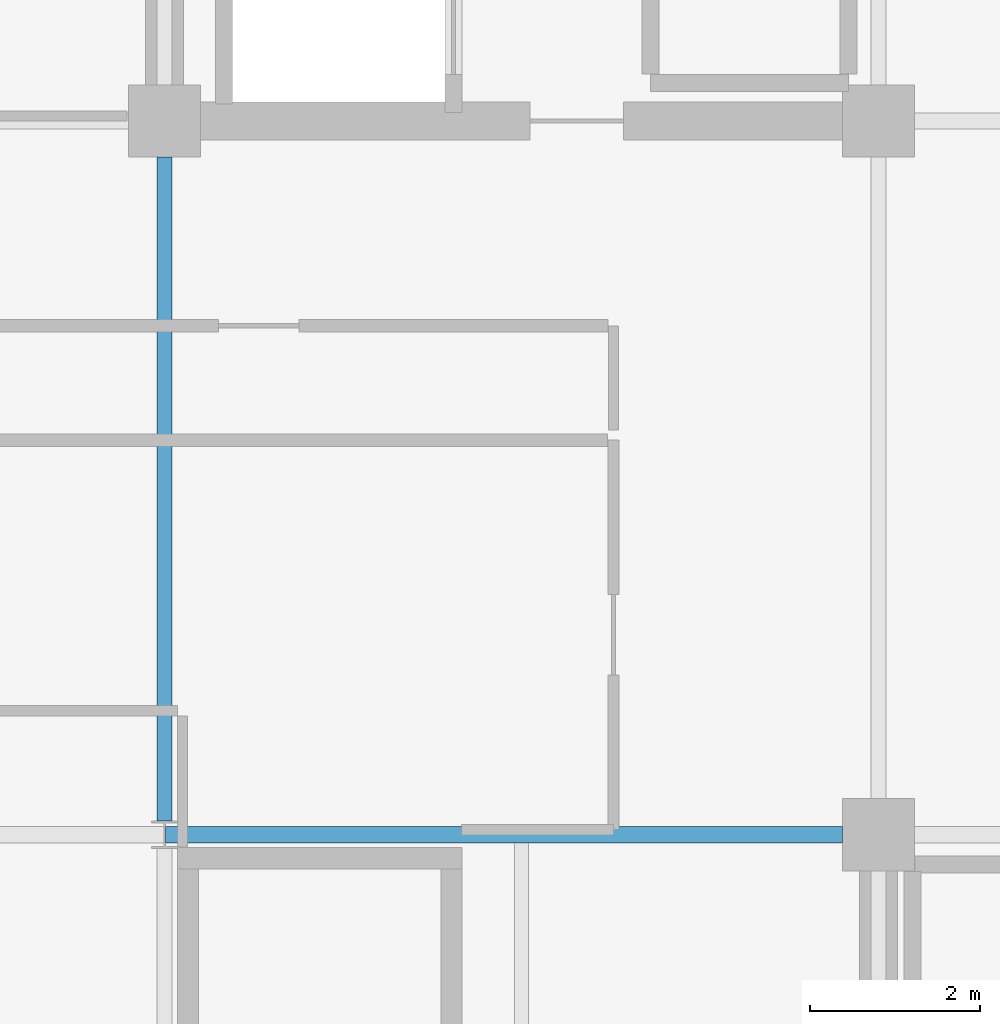
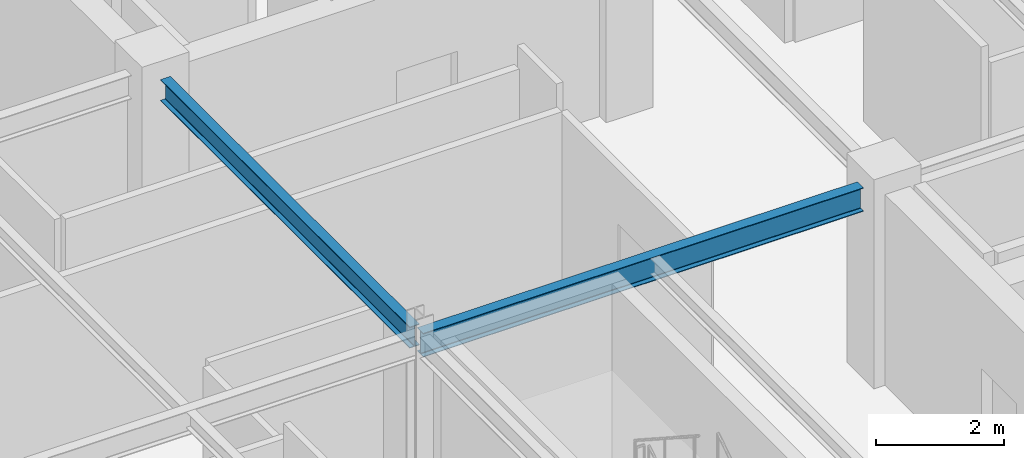
# One storey, part 10 of 25: 2 beams.
"""IFC4 building model written with IfcOpenShell, lengths in metres."""

from ifc_helpers import new_model, si_unit, direction, frame, origin, origin_2d, place, context, subcontext, project, spatial, i_section, extrude, material, material_profile, profile_set, type_object, element, save


model = new_model("IFC4")

# Units and contexts
model_context = context("Model", 3, precision=1e-05, world=origin(), true_north=direction((0.0, 1.0)))
body_context = subcontext(model_context, "Body", "Model", "MODEL_VIEW")
ifc_project = project(units=[si_unit("LENGTHUNIT", "METRE"), si_unit("AREAUNIT", "SQUARE_METRE"), si_unit("VOLUMEUNIT", "CUBIC_METRE"), si_unit("PLANEANGLEUNIT", "RADIAN"), si_unit("MASSUNIT", "GRAM", prefix="KILO")], contexts=[model_context])

# Site, building, storey
site_placement = place(None, origin())
site = spatial("IfcSite", under=ifc_project, at=site_placement, CompositionType="ELEMENT")
building_placement = place(site_placement, origin())
building = spatial("IfcBuilding", under=site, at=building_placement, Name="Nerrivon Quay Data Exchange", CompositionType="ELEMENT")
storey_placement = place(building_placement, frame((0.0, 0.0, 318.199951171875)))
storey = spatial("IfcBuildingStorey", under=building, at=storey_placement, Name="L76", CompositionType="ELEMENT", Elevation=318.199951171875)

# Beams
ifc_material = material(Name="Steel Grade 350", Category="steel")
ifc_material_profile_1 = material_profile(ifc_material, i_section(OverallWidth=0.18994140625, OverallDepth=0.4541015625, WebThickness=0.008544921875, FlangeThickness=0.0126953125, FilletRadius=0.011474609375, at=origin_2d()), Name="460UB67.1")
ifc_profile_set_1 = profile_set([ifc_material_profile_1], Name="Steel Grade 350")
beam_type_1 = type_object("IfcBeamType", Name="BM-G6-460UB67", PredefinedType="BEAM", material=ifc_profile_set_1)
beam_1_placement = place(storey_placement, frame((8.40771484375, 16.800048828125, 3.423095703125), z_axis=(1.0, 0.0, 0.0), x_axis=(0.0, 1.0, 0.0)))
element("IfcBeam", 1, at=beam_1_placement, inside=storey, type_object=beam_type_1, Name="L76 EW Girder Y=16.8 (8.4..16.8)", PredefinedType="BEAM", context=body_context, shape_type="SweptSolid", body=[
    extrude(i_section(OverallWidth=0.18994140625, OverallDepth=0.4541015625, WebThickness=0.008544921875, FlangeThickness=0.0126953125, FilletRadius=0.011474609375, at=origin_2d()), origin(), (0.0, 0.0, 1.0), 7.96728515625),
])
ifc_material_profile_2 = material_profile(ifc_material, i_section(OverallWidth=0.177978515625, OverallDepth=0.406005859375, WebThickness=0.0078125, FlangeThickness=0.0126953125, FilletRadius=0.011474609375, at=origin_2d()), Name="410UB59.7")
ifc_profile_set_2 = profile_set([ifc_material_profile_2], Name="Steel Grade 350")
beam_type_2 = type_object("IfcBeamType", Name="BM-J1-410UB60", PredefinedType="JOIST", material=ifc_profile_set_2)
beam_2_placement = place(storey_placement, frame((8.39990234375, 16.96337890625, 3.447021484375), z_axis=(0.0, 1.0, 0.0), x_axis=(-1.0, 0.0, 0.0)))
element("IfcBeam", 2, at=beam_2_placement, inside=storey, type_object=beam_type_2, Name="L76 NS Girder X=8.4 (16.8..25.2)", PredefinedType="JOIST", context=body_context, shape_type="SweptSolid", body=[
    extrude(i_section(OverallWidth=0.177978515625, OverallDepth=0.406005859375, WebThickness=0.0078125, FlangeThickness=0.0126953125, FilletRadius=0.011474609375, at=origin_2d()), origin(), (0.0, 0.0, 1.0), 7.8115234375),
])

save(model, "model.ifc")
